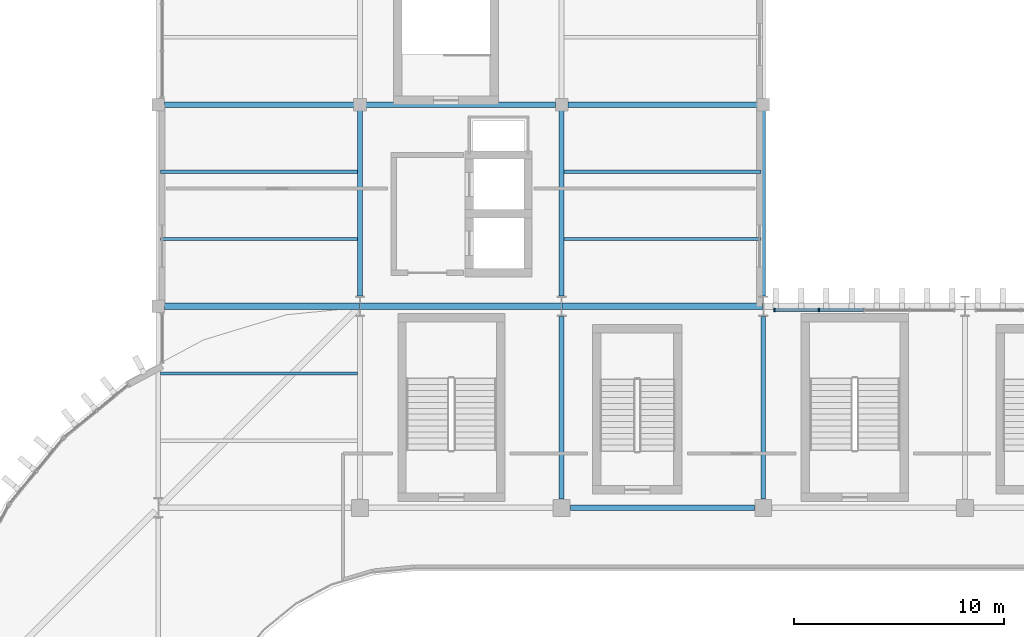
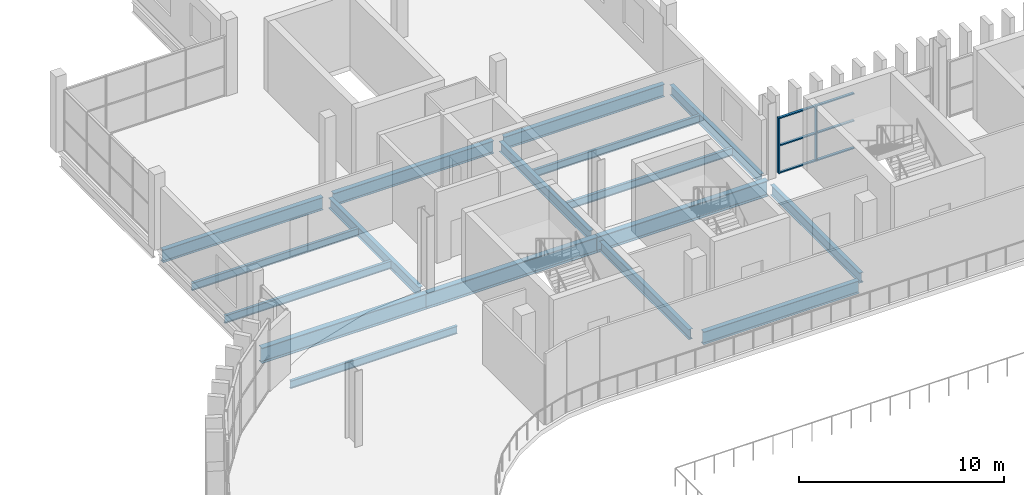
# One storey, part 14 of 75: 17 beams, 8 members, 1 element without a shape of its own.
"""IFC4 building model written with IfcOpenShell, lengths in metres."""

from ifc_helpers import new_model, si_unit, direction, frame, origin, origin_2d, place, context, subcontext, project, spatial, rectangle, i_section, extrude, material, layer, layer_set, material_profile, profile_set, type_object, element, aggregate, save


model = new_model("IFC4")

# Units and contexts
model_context = context("Model", 3, precision=1e-05, world=origin(), true_north=direction((0.0, 1.0)))
body_context = subcontext(model_context, "Body", "Model", "MODEL_VIEW")
ifc_project = project(units=[si_unit("LENGTHUNIT", "METRE"), si_unit("AREAUNIT", "SQUARE_METRE"), si_unit("VOLUMEUNIT", "CUBIC_METRE"), si_unit("PLANEANGLEUNIT", "RADIAN"), si_unit("MASSUNIT", "GRAM", prefix="KILO")], contexts=[model_context])

# Site, building, storey
site_placement = place(None, origin())
site = spatial("IfcSite", under=ifc_project, at=site_placement, CompositionType="ELEMENT")
building_placement = place(site_placement, origin())
building = spatial("IfcBuilding", under=site, at=building_placement, Name="Caelomonte Colonnade Arena", CompositionType="ELEMENT")
storey_placement = place(building_placement, frame((0.0, 0.0, 14.10009765625)))
storey = spatial("IfcBuildingStorey", under=building, at=storey_placement, Name="L03", CompositionType="ELEMENT", Elevation=14.10009765625)

# Curtain wall, members
ifc_material_1 = material(Name="Bronze anodised aluminium and low-E glazing", Category="aluminium")
ifc_layer = layer(ifc_material_1, 0.179931640625)
ifc_layer_set = layer_set([ifc_layer], Name="Bronze anodised aluminium and low-E glazing")
curtain_wall_type = type_object("IfcCurtainWallType", Name="ENV-CW-CW-L03-96-33", PredefinedType="USERDEFINED", material=ifc_layer_set)
curtain_wall_placement = place(storey_placement, origin())
curtain_wall = element("IfcCurtainWall", 1, at=curtain_wall_placement, inside=storey, type_object=curtain_wall_type, Name="L03 unitized curtain wall CW-L03-1008-1150", ObjectType="UNITIZED CURTAIN WALL", PredefinedType="USERDEFINED")
ifc_material_2 = material(Name="Bronze anodised aluminium AA6063-T6", Category="aluminium")
ifc_material_profile_1 = material_profile(ifc_material_2, rectangle(XDim=0.070068359375, YDim=0.179931640625, at=origin_2d()), Name="CWM-70X180")
ifc_profile_set_1 = profile_set([ifc_material_profile_1], Name="Bronze anodised aluminium AA6063-T6")
member_type_1 = type_object("IfcMemberType", Name="ENV-CW-MULL1", PredefinedType="MULLION", material=ifc_profile_set_1)
member_1_placement = place(storey_placement, frame((98.646728515625, 115.02001953125, 0.0), z_axis=(0.0, 0.0, 1.0), x_axis=(-1.0, 0.0, 0.0)))
member_1 = element("IfcMember", 2, at=member_1_placement, type_object=member_type_1, Name="CW-L03-96-33 mullion 4", PredefinedType="MULLION", context=body_context, shape_type="SweptSolid", body=[
    extrude(rectangle(XDim=0.070068359375, YDim=0.179931640625, at=origin_2d()), origin(), (0.0, 0.0, 1.0), 3.312744140625),
])
member_2_placement = place(storey_placement, frame((96.52880859375, 115.02001953125, 0.0), z_axis=(0.0, 0.0, 1.0), x_axis=(-1.0, 0.0, 0.0)))
member_2 = element("IfcMember", 3, at=member_2_placement, type_object=member_type_1, Name="CW-L03-96-33 mullion 5", PredefinedType="MULLION", context=body_context, shape_type="SweptSolid", body=[
    extrude(rectangle(XDim=0.070068359375, YDim=0.179931640625, at=origin_2d()), origin(), (0.0, 0.0, 1.0), 3.312744140625),
])
ifc_material_profile_2 = material_profile(ifc_material_2, rectangle(XDim=0.070068359375, YDim=0.139892578125, at=origin_2d()), Name="CWT-70X140")
ifc_profile_set_2 = profile_set([ifc_material_profile_2], Name="Bronze anodised aluminium AA6063-T6")
member_type_2 = type_object("IfcMemberType", Name="ENV-CW-TRAN1", PredefinedType="USERDEFINED", material=ifc_profile_set_2)
member_3_placement = place(storey_placement, frame((100.764892578125, 115.02001953125, 0.034912109375), z_axis=(-1.0, 0.0, 0.0), x_axis=(0.0, 0.0, 1.0)))
member_3 = element("IfcMember", 4, at=member_3_placement, type_object=member_type_2, Name="CW-L03-96-33 transom 3.1", ObjectType="TRANSOM", PredefinedType="USERDEFINED", context=body_context, shape_type="SweptSolid", body=[
    extrude(rectangle(XDim=0.070068359375, YDim=0.139892578125, at=origin_2d()), origin(), (0.0, 0.0, 1.0), 2.0830078125),
])
member_4_placement = place(storey_placement, frame((100.764892578125, 115.02001953125, 1.65625), z_axis=(-1.0, 0.0, 0.0), x_axis=(0.0, 0.0, 1.0)))
member_4 = element("IfcMember", 5, at=member_4_placement, type_object=member_type_2, Name="CW-L03-96-33 transom 3.2", ObjectType="TRANSOM", PredefinedType="USERDEFINED", context=body_context, shape_type="SweptSolid", body=[
    extrude(rectangle(XDim=0.070068359375, YDim=0.139892578125, at=origin_2d()), origin(), (0.0, 0.0, 1.0), 2.0830078125),
])
member_5_placement = place(storey_placement, frame((100.764892578125, 115.02001953125, 3.277587890625), z_axis=(-1.0, 0.0, 0.0), x_axis=(0.0, 0.0, 1.0)))
member_5 = element("IfcMember", 6, at=member_5_placement, type_object=member_type_2, Name="CW-L03-96-33 transom 3.3", ObjectType="TRANSOM", PredefinedType="USERDEFINED", context=body_context, shape_type="SweptSolid", body=[
    extrude(rectangle(XDim=0.070068359375, YDim=0.139892578125, at=origin_2d()), origin(), (0.0, 0.0, 1.0), 2.0830078125),
])
member_6_placement = place(storey_placement, frame((98.61181640625, 115.02001953125, 0.034912109375), z_axis=(-1.0, 0.0, 0.0), x_axis=(0.0, 0.0, 1.0)))
member_6 = element("IfcMember", 7, at=member_6_placement, type_object=member_type_2, Name="CW-L03-96-33 transom 4.1", ObjectType="TRANSOM", PredefinedType="USERDEFINED", context=body_context, shape_type="SweptSolid", body=[
    extrude(rectangle(XDim=0.070068359375, YDim=0.139892578125, at=origin_2d()), origin(), (0.0, 0.0, 1.0), 2.048095703125),
])
member_7_placement = place(storey_placement, frame((98.61181640625, 115.02001953125, 1.65625), z_axis=(-1.0, 0.0, 0.0), x_axis=(0.0, 0.0, 1.0)))
member_7 = element("IfcMember", 8, at=member_7_placement, type_object=member_type_2, Name="CW-L03-96-33 transom 4.2", ObjectType="TRANSOM", PredefinedType="USERDEFINED", context=body_context, shape_type="SweptSolid", body=[
    extrude(rectangle(XDim=0.070068359375, YDim=0.139892578125, at=origin_2d()), origin(), (0.0, 0.0, 1.0), 2.048095703125),
])
member_8_placement = place(storey_placement, frame((98.61181640625, 115.02001953125, 3.277587890625), z_axis=(-1.0, 0.0, 0.0), x_axis=(0.0, 0.0, 1.0)))
member_8 = element("IfcMember", 9, at=member_8_placement, type_object=member_type_2, Name="CW-L03-96-33 transom 4.3", ObjectType="TRANSOM", PredefinedType="USERDEFINED", context=body_context, shape_type="SweptSolid", body=[
    extrude(rectangle(XDim=0.070068359375, YDim=0.139892578125, at=origin_2d()), origin(), (0.0, 0.0, 1.0), 2.048095703125),
])
aggregate(curtain_wall, [member_1, member_2, member_3, member_4, member_5, member_6, member_7, member_8])

# Beams
ifc_material_3 = material(Name="Wide-flange steel ASTM A992 Grade 50", Category="steel")
ifc_material_profile_3 = material_profile(ifc_material_3, i_section(OverallWidth=0.307861328125, OverallDepth=0.927001953125, WebThickness=0.019287109375, FlangeThickness=0.031982421875, FilletRadius=0.020263671875, at=origin_2d()), Name="W36X194")
ifc_profile_set_3 = profile_set([ifc_material_profile_3], Name="Wide-flange steel ASTM A992 Grade 50")
beam_type_1 = type_object("IfcBeamType", Name="STR-BM-EAVES2", PredefinedType="SPANDREL", material=ifc_profile_set_3)
beam_1_placement = place(storey_placement, frame((67.491943359375, 115.199951171875, -0.74365234375), z_axis=(1.0, 0.0, 0.0), x_axis=(0.0, 1.0, 0.0)))
element("IfcBeam", 10, at=beam_1_placement, inside=storey, type_object=beam_type_1, Name="L03 girder BMX-L03-0672-1152", PredefinedType="SPANDREL", context=body_context, shape_type="SweptSolid", body=[
    extrude(i_section(OverallWidth=0.307861328125, OverallDepth=0.927001953125, WebThickness=0.019287109375, FlangeThickness=0.031982421875, FilletRadius=0.020263671875, at=origin_2d()), origin(), (0.0, 0.0, 1.0), 9.296142578125),
])
for number, where, z_axis, x_axis, name in (
    (11, (76.811767578125, 115.199951171875, -0.74365234375), (1.0, 0.0, 0.0), (0.0, 1.0, 0.0), "L03 girder BMX-L03-0768-1152"),
    (12, (86.411865234375, 115.199951171875, -0.74365234375), (1.0, 0.0, 0.0), (0.0, 1.0, 0.0), "L03 girder BMX-L03-0864-1152"),
):
    element("IfcBeam", number, at=place(storey_placement, frame(where, z_axis=z_axis, x_axis=x_axis)), inside=storey, type_object=beam_type_1, Name=name, PredefinedType="SPANDREL", context=body_context, shape_type="SweptSolid", body=[
        extrude(i_section(OverallWidth=0.307861328125, OverallDepth=0.927001953125, WebThickness=0.019287109375, FlangeThickness=0.031982421875, FilletRadius=0.020263671875, at=origin_2d()), origin(), (0.0, 0.0, 1.0), 9.576416015625),
    ])
ifc_material_profile_4 = material_profile(ifc_material_3, i_section(OverallWidth=0.228271484375, OverallDepth=0.607177734375, WebThickness=0.01123046875, FlangeThickness=0.017333984375, FilletRadius=0.0126953125, at=origin_2d()), Name="W24X76")
ifc_profile_set_4 = profile_set([ifc_material_profile_4], Name="Wide-flange steel ASTM A992 Grade 50")
beam_type_2 = type_object("IfcBeamType", Name="STR-BM-GIRD24", PredefinedType="BEAM", material=ifc_profile_set_4)
beam_2_placement = place(storey_placement, frame((76.800048828125, 115.697509765625, -0.58349609375), z_axis=(0.0, 1.0, 0.0), x_axis=(-1.0, 0.0, 0.0)))
element("IfcBeam", 13, at=beam_2_placement, inside=storey, type_object=beam_type_2, Name="L03 girder BMY-L03-0768-1152", PredefinedType="BEAM", context=body_context, shape_type="SweptSolid", body=[
    extrude(i_section(OverallWidth=0.228271484375, OverallDepth=0.607177734375, WebThickness=0.01123046875, FlangeThickness=0.017333984375, FilletRadius=0.0126953125, at=origin_2d()), origin(), (0.0, 0.0, 1.0), 8.810546875),
])
beam_3_placement = place(storey_placement, frame((86.39990234375, 106.01708984375, -0.58349609375), z_axis=(0.0, 1.0, 0.0), x_axis=(-1.0, 0.0, 0.0)))
element("IfcBeam", 14, at=beam_3_placement, inside=storey, type_object=beam_type_2, Name="L03 girder BMY-L03-0864-1056", PredefinedType="BEAM", context=body_context, shape_type="SweptSolid", body=[
    extrude(i_section(OverallWidth=0.228271484375, OverallDepth=0.607177734375, WebThickness=0.01123046875, FlangeThickness=0.017333984375, FilletRadius=0.0126953125, at=origin_2d()), origin(), (0.0, 0.0, 1.0), 8.685546875),
])
beam_4_placement = place(storey_placement, frame((86.39990234375, 115.697509765625, -0.58349609375), z_axis=(0.0, 1.0, 0.0), x_axis=(-1.0, 0.0, 0.0)))
element("IfcBeam", 15, at=beam_4_placement, inside=storey, type_object=beam_type_2, Name="L03 girder BMY-L03-0864-1152", PredefinedType="BEAM", context=body_context, shape_type="SweptSolid", body=[
    extrude(i_section(OverallWidth=0.228271484375, OverallDepth=0.607177734375, WebThickness=0.01123046875, FlangeThickness=0.017333984375, FilletRadius=0.0126953125, at=origin_2d()), origin(), (0.0, 0.0, 1.0), 8.810546875),
])
beam_5_placement = place(storey_placement, frame((96.0, 106.01708984375, -0.58349609375), z_axis=(0.0, 1.0, 0.0), x_axis=(-1.0, 0.0, 0.0)))
element("IfcBeam", 16, at=beam_5_placement, inside=storey, type_object=beam_type_2, Name="L03 girder BMY-L03-0960-1056", PredefinedType="BEAM", context=body_context, shape_type="SweptSolid", body=[
    extrude(i_section(OverallWidth=0.228271484375, OverallDepth=0.607177734375, WebThickness=0.01123046875, FlangeThickness=0.017333984375, FilletRadius=0.0126953125, at=origin_2d()), origin(), (0.0, 0.0, 1.0), 8.685546875),
])
beam_6_placement = place(storey_placement, frame((96.0, 115.697509765625, -0.58349609375), z_axis=(0.0, 1.0, 0.0), x_axis=(-1.0, 0.0, 0.0)))
element("IfcBeam", 17, at=beam_6_placement, inside=storey, type_object=beam_type_2, Name="L03 girder BMY-L03-0960-1152", PredefinedType="BEAM", context=body_context, shape_type="SweptSolid", body=[
    extrude(i_section(OverallWidth=0.228271484375, OverallDepth=0.607177734375, WebThickness=0.01123046875, FlangeThickness=0.017333984375, FilletRadius=0.0126953125, at=origin_2d()), origin(), (0.0, 0.0, 1.0), 8.810546875),
])
ifc_material_profile_5 = material_profile(ifc_material_3, i_section(OverallWidth=0.265380859375, OverallDepth=0.75439453125, WebThickness=0.01318359375, FlangeThickness=0.01708984375, FilletRadius=0.0166015625, at=origin_2d()), Name="W30X99")
ifc_profile_set_5 = profile_set([ifc_material_profile_5], Name="Wide-flange steel ASTM A992 Grade 50")
beam_type_3 = type_object("IfcBeamType", Name="STR-BM-GIRD30B", PredefinedType="BEAM", material=ifc_profile_set_5)
beam_7_placement = place(storey_placement, frame((86.81689453125, 105.60009765625, -0.6572265625), z_axis=(1.0, 0.0, 0.0), x_axis=(0.0, 1.0, 0.0)))
element("IfcBeam", 18, at=beam_7_placement, inside=storey, type_object=beam_type_3, Name="L03 girder BMX-L03-0864-1056", PredefinedType="BEAM", context=body_context, shape_type="SweptSolid", body=[
    extrude(i_section(OverallWidth=0.265380859375, OverallDepth=0.75439453125, WebThickness=0.01318359375, FlangeThickness=0.01708984375, FilletRadius=0.0166015625, at=origin_2d()), origin(), (0.0, 0.0, 1.0), 8.76611328125),
])
beam_8_placement = place(storey_placement, frame((67.491943359375, 124.800048828125, -0.6572265625), z_axis=(1.0, 0.0, 0.0), x_axis=(0.0, 1.0, 0.0)))
element("IfcBeam", 19, at=beam_8_placement, inside=storey, type_object=beam_type_3, Name="L03 girder BMX-L03-0672-1248", PredefinedType="BEAM", context=body_context, shape_type="SweptSolid", body=[
    extrude(i_section(OverallWidth=0.265380859375, OverallDepth=0.75439453125, WebThickness=0.01318359375, FlangeThickness=0.01708984375, FilletRadius=0.0166015625, at=origin_2d()), origin(), (0.0, 0.0, 1.0), 9.01611328125),
])
beam_9_placement = place(storey_placement, frame((77.092041015625, 124.800048828125, -0.6572265625), z_axis=(1.0, 0.0, 0.0), x_axis=(0.0, 1.0, 0.0)))
element("IfcBeam", 20, at=beam_9_placement, inside=storey, type_object=beam_type_3, Name="L03 girder BMX-L03-0768-1248", PredefinedType="BEAM", context=body_context, shape_type="SweptSolid", body=[
    extrude(i_section(OverallWidth=0.265380859375, OverallDepth=0.75439453125, WebThickness=0.01318359375, FlangeThickness=0.01708984375, FilletRadius=0.0166015625, at=origin_2d()), origin(), (0.0, 0.0, 1.0), 9.015869140625),
])
beam_10_placement = place(storey_placement, frame((86.69189453125, 124.800048828125, -0.6572265625), z_axis=(1.0, 0.0, 0.0), x_axis=(0.0, 1.0, 0.0)))
element("IfcBeam", 21, at=beam_10_placement, inside=storey, type_object=beam_type_3, Name="L03 girder BMX-L03-0864-1248", PredefinedType="BEAM", context=body_context, shape_type="SweptSolid", body=[
    extrude(i_section(OverallWidth=0.265380859375, OverallDepth=0.75439453125, WebThickness=0.01318359375, FlangeThickness=0.01708984375, FilletRadius=0.0166015625, at=origin_2d()), origin(), (0.0, 0.0, 1.0), 9.01611328125),
])
ifc_material_profile_6 = material_profile(ifc_material_3, i_section(OverallWidth=0.15283203125, OverallDepth=0.45458984375, WebThickness=0.008056640625, FlangeThickness=0.01318359375, FilletRadius=0.01025390625, at=origin_2d()), Name="W18X40")
ifc_profile_set_6 = profile_set([ifc_material_profile_6], Name="Wide-flange steel ASTM A992 Grade 50")
beam_type_4 = type_object("IfcBeamType", Name="STR-BM-JOIST18B", PredefinedType="JOIST", material=ifc_profile_set_6)
for number, where, z_axis, x_axis, name in (
    (22, (67.30908203125, 112.0, -0.50732421875), (1.0, 0.0, 0.0), (0.0, 1.0, 0.0), "L03 secondary joist 2"),
    (23, (67.30908203125, 118.39990234375, -0.50732421875), (1.0, 0.0, 0.0), (0.0, 1.0, 0.0), "L03 secondary joist 1"),
    (24, (67.30908203125, 121.60009765625, -0.50732421875), (1.0, 0.0, 0.0), (0.0, 1.0, 0.0), "L03 secondary joist 2"),
):
    element("IfcBeam", number, at=place(storey_placement, frame(where, z_axis=z_axis, x_axis=x_axis)), inside=storey, type_object=beam_type_4, Name=name, PredefinedType="JOIST", context=body_context, shape_type="SweptSolid", body=[
        extrude(i_section(OverallWidth=0.15283203125, OverallDepth=0.45458984375, WebThickness=0.008056640625, FlangeThickness=0.01318359375, FilletRadius=0.01025390625, at=origin_2d()), origin(), (0.0, 0.0, 1.0), 9.3818359375),
    ])
for number, where, z_axis, x_axis, name in (
    (25, (86.50927734375, 118.39990234375, -0.50732421875), (1.0, 0.0, 0.0), (0.0, 1.0, 0.0), "L03 secondary joist 1"),
    (26, (86.50927734375, 121.60009765625, -0.50732421875), (1.0, 0.0, 0.0), (0.0, 1.0, 0.0), "L03 secondary joist 2"),
):
    element("IfcBeam", number, at=place(storey_placement, frame(where, z_axis=z_axis, x_axis=x_axis)), inside=storey, type_object=beam_type_4, Name=name, PredefinedType="JOIST", context=body_context, shape_type="SweptSolid", body=[
        extrude(i_section(OverallWidth=0.15283203125, OverallDepth=0.45458984375, WebThickness=0.008056640625, FlangeThickness=0.01318359375, FilletRadius=0.01025390625, at=origin_2d()), origin(), (0.0, 0.0, 1.0), 9.381591796875),
    ])

save(model, "model.ifc")
